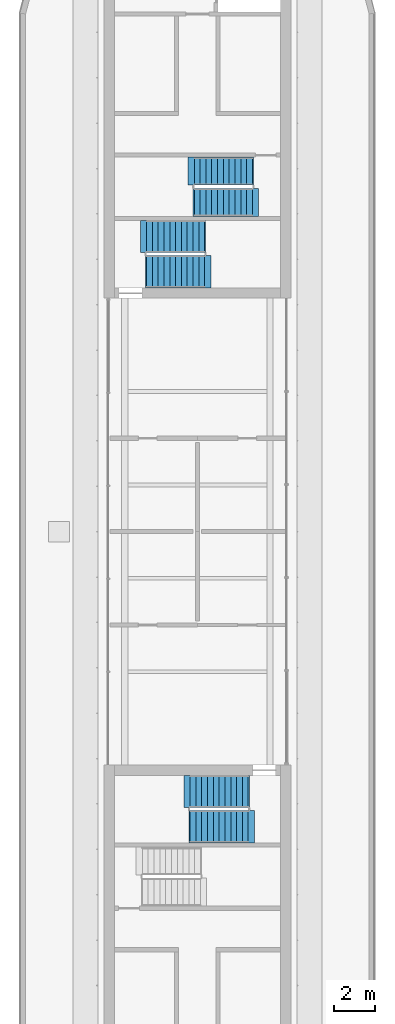
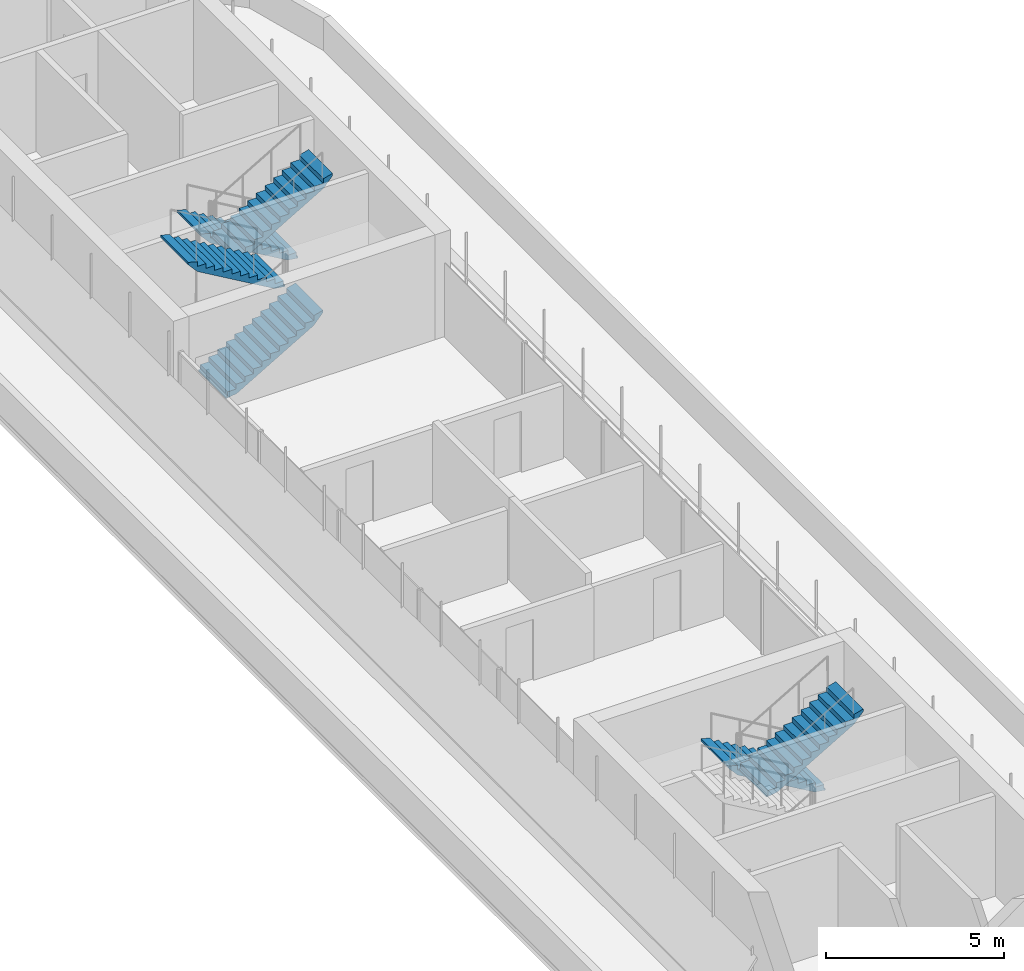
# One storey, part 4 of 6: 6 stair flights, 3 elements without a shape of their own.
"""IFC4 building model written with IfcOpenShell, lengths in metres."""

import ifcopenshell
import ifcopenshell.guid

model = None  # the IFC model being written
_history = None  # IfcOwnerHistory: only IFC2X3 demands one
_inside = {}  # id of a spatial element -> (the spatial element, [elements in it])
_under = {}  # id of a project, library or spatial element -> (it, [spatial elements below it])
_declared = {}  # id of a project -> (the project, [libraries it declares])
_typed = {}  # id of a type object -> (the type object, [elements of that type])
_made_of = {}  # id of a material, layer set ... -> (it, [elements and type objects made of it])


def new_model(schema):
    """Start an empty IFC model of exactly this schema.

    Asked for "IFC4X3", IfcOpenShell would pick the latest addendum, in which some entities
    have other attributes; the version numbers below select the first issue.
    IFC2X3 requires an IfcOwnerHistory on every rooted entity: one is made here for all.
    """
    global model, _history
    if schema == "IFC4X3":
        model = ifcopenshell.file(schema_version=(4, 3, 0, 0))
    else:
        model = ifcopenshell.file(schema=schema)
    _inside.clear()
    _under.clear()
    _declared.clear()
    _typed.clear()
    _made_of.clear()
    _history = None
    if model.schema == "IFC2X3":
        org = make("IfcOrganization", Name="unknown")
        user = make(
            "IfcPersonAndOrganization",
            ThePerson=make("IfcPerson", FamilyName="unknown"),
            TheOrganization=org,
        )
        app = make(
            "IfcApplication",
            ApplicationDeveloper=org,
            Version="unknown",
            ApplicationFullName="unknown",
            ApplicationIdentifier="unknown",
        )
        _history = make(
            "IfcOwnerHistory",
            OwningUser=user,
            OwningApplication=app,
            ChangeAction="ADDED",
            CreationDate=0,
        )
    return model


def make(cls, **values):
    """One entity of the class cls with the attributes given. An attribute that is None is left unset."""
    return model.create_entity(
        cls, **{name: value for name, value in values.items() if value is not None}
    )


def rooted(cls, **values):
    """An entity with a GlobalId (a new one), such as an element, a storey or a relation."""
    return make(cls, GlobalId=ifcopenshell.guid.new(), OwnerHistory=_history, **values)


def si_unit(unit_type, name, prefix=None):
    """IfcSIUnit, for example si_unit("LENGTHUNIT", "METRE", prefix="MILLI")."""
    return make("IfcSIUnit", UnitType=unit_type, Prefix=prefix, Name=name)


def assignment(units):
    """IfcUnitAssignment: the units of a project."""
    return None if units is None else make("IfcUnitAssignment", Units=units)


def point(xyz):
    """IfcCartesianPoint."""
    return None if xyz is None else make("IfcCartesianPoint", Coordinates=xyz)


def direction(xyz):
    """IfcDirection."""
    return None if xyz is None else make("IfcDirection", DirectionRatios=xyz)


def frame(location, z_axis=None, x_axis=None):
    """IfcAxis2Placement3D, a coordinate frame: its origin and axes. An axis left out is left unset."""
    return make(
        "IfcAxis2Placement3D",
        Location=point(location),
        Axis=direction(z_axis),
        RefDirection=direction(x_axis),
    )


def origin():
    """The frame at (0, 0, 0) with its axes left unset."""
    return frame((0.0, 0.0, 0.0))


def place(relative_to, where):
    """IfcLocalPlacement: puts the frame where relative to a parent placement (None: the world)."""
    return make(
        "IfcLocalPlacement", PlacementRelTo=relative_to, RelativePlacement=where
    )


def context(
    kind, dimensions, precision=None, world=None, true_north=None, identifier=None
):
    """IfcGeometricRepresentationContext, for example the 3D "Model" context."""
    return make(
        "IfcGeometricRepresentationContext",
        ContextIdentifier=identifier,
        ContextType=kind,
        CoordinateSpaceDimension=dimensions,
        Precision=precision,
        WorldCoordinateSystem=world,
        TrueNorth=true_north,
    )


def subcontext(parent, identifier, kind, view, scale=None):
    """IfcGeometricRepresentationSubContext, for example "Body" below "Model"."""
    return make(
        "IfcGeometricRepresentationSubContext",
        ContextIdentifier=identifier,
        ContextType=kind,
        ParentContext=parent,
        TargetScale=scale,
        TargetView=view,
    )


def project(units=None, contexts=None):
    """IfcProject with its units and contexts."""
    return rooted(
        "IfcProject",
        Name="project",
        RepresentationContexts=contexts,
        UnitsInContext=assignment(units),
    )


def spatial(cls, under=None, at=None, **own):
    """A site, building, storey or space (cls), placed at a placement, below another one or the project."""
    s = rooted(cls, ObjectPlacement=at, **own)
    if under is not None:
        _under.setdefault(under.id(), (under, []))[1].append(s)
    return s


def polyline(points):
    """IfcPolyline through the points."""
    return make("IfcPolyline", Points=[point(p) for p in points])


def outline(outer, holes=None, kind="AREA"):
    """IfcArbitraryClosedProfileDef: a profile drawn as a closed curve; with holes, ...WithVoids."""
    if holes is None:
        return make("IfcArbitraryClosedProfileDef", ProfileType=kind, OuterCurve=outer)
    return make(
        "IfcArbitraryProfileDefWithVoids",
        ProfileType=kind,
        OuterCurve=outer,
        InnerCurves=holes,
    )


def extrude(swept, where, along, depth):
    """IfcExtrudedAreaSolid: the profile swept, set in the frame where, extruded along a direction by depth."""
    return make(
        "IfcExtrudedAreaSolid",
        SweptArea=swept,
        Position=where,
        ExtrudedDirection=direction(along),
        Depth=depth,
    )


def shape(context_of_items, identifier, shape_type, items):
    """IfcShapeRepresentation: the items that make up one representation, for example the "Body"."""
    return make(
        "IfcShapeRepresentation",
        ContextOfItems=context_of_items,
        RepresentationIdentifier=identifier,
        RepresentationType=shape_type,
        Items=items,
    )


def material(Name=None, Category=None):
    """IfcMaterial."""
    return make("IfcMaterial", Name=Name, Category=Category)


def made_of(thing, what):
    """Note that an element or type object is made of a material, layer set ...; save() writes the relation."""
    if what is not None:
        _made_of.setdefault(what.id(), (what, []))[1].append(thing)
    return thing


def type_object(cls, material=None, **own):
    """A type object (cls), such as IfcWallType, which elements share."""
    return made_of(rooted(cls, **own), material)


def element(
    cls,
    number,
    at=None,
    inside=None,
    cuts=None,
    type_object=None,
    material=None,
    context=None,
    identifier="Body",
    shape_type=None,
    held_by="IfcProductDefinitionShape",
    body=None,
    shapes=None,
    **own,
):
    """One element of the class cls, such as IfcWall. Its Tag is "e" and its number.

    at: its placement. inside: the storey or other place that contains it. cuts: it is an
    opening in that element (IfcRelVoidsElement). A single representation is given by context,
    identifier, shape_type and body (its items); several are given by shapes. held_by: the class
    of the entity that holds the representations. save() writes the other relations.
    """
    e = rooted(cls, Tag="e%d" % number, ObjectPlacement=at, **own)
    if body is not None:
        shapes = [shape(context, identifier, shape_type, body)]
    if shapes is not None:
        e.Representation = make(held_by, Representations=shapes)
    if inside is not None:
        _inside.setdefault(inside.id(), (inside, []))[1].append(e)
    if cuts is not None:
        rooted(
            "IfcRelVoidsElement", RelatingBuildingElement=cuts, RelatedOpeningElement=e
        )
    if type_object is not None:
        _typed.setdefault(type_object.id(), (type_object, []))[1].append(e)
    return made_of(e, material)


def aggregate(whole, parts):
    """IfcRelAggregates: a whole, such as a stair, and the parts it consists of."""
    return rooted("IfcRelAggregates", RelatingObject=whole, RelatedObjects=parts)


def save(model, path):
    """Write the relations noted so far, then the file.

    IfcRelAggregates (storeys below a building ...), IfcRelContainedInSpatialStructure (elements
    in a storey), IfcRelDefinesByType, IfcRelAssociatesMaterial and IfcRelDeclares: one each for
    every whole, place, type object, material and project.
    """
    for whole, parts in _under.values():
        aggregate(whole, parts)
    for where, things in _inside.values():
        rooted(
            "IfcRelContainedInSpatialStructure",
            RelatedElements=things,
            RelatingStructure=where,
        )
    for kind, things in _typed.values():
        rooted("IfcRelDefinesByType", RelatedObjects=things, RelatingType=kind)
    for what, things in _made_of.values():
        rooted("IfcRelAssociatesMaterial", RelatedObjects=things, RelatingMaterial=what)
    for by, libraries in _declared.values():
        rooted("IfcRelDeclares", RelatingContext=by, RelatedDefinitions=libraries)
    model.write(path)


model = new_model("IFC4")

# Units and contexts
model_context = context("Model", 3, precision=1e-05, world=origin(), true_north=direction((0.0, 1.0)))
body_context = subcontext(model_context, "Body", "Model", "MODEL_VIEW")
ifc_project = project(units=[si_unit("LENGTHUNIT", "METRE"), si_unit("AREAUNIT", "SQUARE_METRE"), si_unit("VOLUMEUNIT", "CUBIC_METRE"), si_unit("PLANEANGLEUNIT", "RADIAN"), si_unit("MASSUNIT", "GRAM", prefix="KILO")], contexts=[model_context])

# Site, building, storey
site_placement = place(None, origin())
site = spatial("IfcSite", under=ifc_project, at=site_placement, CompositionType="ELEMENT")
building_placement = place(site_placement, origin())
building = spatial("IfcBuilding", under=site, at=building_placement, Name="Zarbagh Exchange Tower", CompositionType="ELEMENT")
storey_placement = place(building_placement, frame((0.0, 0.0, 313.199951171875)))
storey = spatial("IfcBuildingStorey", under=building, at=storey_placement, Name="L77", CompositionType="ELEMENT", Elevation=313.199951171875)

# Stair, stair flights
ifc_material = material(Name="Concrete C40/50", Category="concrete")
stair_type = type_object("IfcStairType", Name="Exit stair two-flight half-turn", PredefinedType="HALF_TURN_STAIR", material=ifc_material)
stair_1_placement = place(storey_placement, origin())
stair_1 = element("IfcStair", 1, at=stair_1_placement, inside=storey, type_object=stair_type, Name="exit stair ST1", PredefinedType="HALF_TURN_STAIR")
stair_flight_type_1 = type_object("IfcStairFlightType", Name="Stair flight 1350 mm", PredefinedType="STRAIGHT", material=ifc_material)
stair_flight_1_placement = place(storey_placement, frame((2.64990234375, 17.375, 0.0), z_axis=(0.0, 0.0, 1.0), x_axis=(-1.0, 0.0, 0.0)))
stair_flight_1 = element("IfcStairFlight", 2, at=stair_flight_1_placement, type_object=stair_flight_type_1, Name="ST1 flight 1", NumberOfRisers=11, NumberOfTreads=10, PredefinedType="STRAIGHT", RiserHeight=0.163636364, TreadLength=0.28, context=body_context, shape_type="SweptSolid", body=[
    extrude(outline(polyline([(-0.050048828125, -0.050048828125), (-0.050048828125, 0.0), (0.0, 0.0), (0.0, 0.16357421875), (0.280029296875, 0.16357421875), (0.280029296875, 0.327392578125), (0.56005859375, 0.327392578125), (0.56005859375, 0.490966796875), (0.840087890625, 0.490966796875), (0.840087890625, 0.654541015625), (1.1201171875, 0.654541015625), (1.1201171875, 0.818115234375), (1.39990234375, 0.818115234375), (1.39990234375, 0.98193359375), (1.679931640625, 0.98193359375), (1.679931640625, 1.1455078125), (1.9599609375, 1.1455078125), (1.9599609375, 1.30908203125), (2.239990234375, 1.30908203125), (2.239990234375, 1.47265625), (2.52001953125, 1.47265625), (2.52001953125, 1.636474609375), (2.800048828125, 1.636474609375), (2.800048828125, 1.800048828125), (3.10009765625, 1.8798828125), (3.10009765625, 1.800048828125), (2.800048828125, 1.462646484375), (0.297119140625, 0.0), (-0.050048828125, -0.050048828125)])), frame((0.0, 0.675048828125, 0.0), z_axis=(0.0, -1.0, 0.0), x_axis=(1.0, 0.0, 0.0)), (0.0, 0.0, 1.0), 1.35009765625),
])
stair_flight_2_placement = place(storey_placement, frame((-0.14990234375, 15.875, 1.800048828125), z_axis=(0.0, 0.0, 1.0), x_axis=(1.0, 0.0, 0.0)))
stair_flight_2 = element("IfcStairFlight", 3, at=stair_flight_2_placement, type_object=stair_flight_type_1, Name="ST1 flight 2", NumberOfRisers=11, NumberOfTreads=10, PredefinedType="STRAIGHT", RiserHeight=0.163636364, TreadLength=0.28, context=body_context, shape_type="SweptSolid", body=[
    extrude(outline(polyline([(-0.050048828125, -0.050048828125), (-0.050048828125, 0.0), (0.0, 0.0), (0.0, 0.16357421875), (0.280029296875, 0.16357421875), (0.280029296875, 0.327392578125), (0.56005859375, 0.327392578125), (0.56005859375, 0.490966796875), (0.840087890625, 0.490966796875), (0.840087890625, 0.654541015625), (1.1201171875, 0.654541015625), (1.1201171875, 0.818115234375), (1.39990234375, 0.818115234375), (1.39990234375, 0.98193359375), (1.679931640625, 0.98193359375), (1.679931640625, 1.1455078125), (1.9599609375, 1.1455078125), (1.9599609375, 1.30908203125), (2.239990234375, 1.30908203125), (2.239990234375, 1.47265625), (2.52001953125, 1.47265625), (2.52001953125, 1.636474609375), (2.800048828125, 1.636474609375), (2.800048828125, 1.800048828125), (3.10009765625, 1.8798828125), (3.10009765625, 1.800048828125), (2.800048828125, 1.462646484375), (0.297119140625, 0.0), (-0.050048828125, -0.050048828125)])), frame((0.0, 0.675048828125, 0.0), z_axis=(0.0, -1.0, 0.0), x_axis=(1.0, 0.0, 0.0)), (0.0, 0.0, 1.0), 1.35009765625),
])
aggregate(stair_1, [stair_flight_1, stair_flight_2])

stair_2_placement = place(storey_placement, origin())
stair_2 = element("IfcStair", 4, at=stair_2_placement, inside=storey, type_object=stair_type, Name="exit stair ST2", PredefinedType="HALF_TURN_STAIR")
stair_flight_type_2 = type_object("IfcStairFlightType", Name="Stair flight 1550 mm", PredefinedType="STRAIGHT", material=ifc_material)
stair_flight_3_placement = place(storey_placement, frame((-2.449951171875, 12.52490234375, 0.0), z_axis=(0.0, 0.0, 1.0), x_axis=(1.0, 0.0, 0.0)))
stair_flight_3 = element("IfcStairFlight", 5, at=stair_flight_3_placement, type_object=stair_flight_type_2, Name="ST2 flight 1", NumberOfRisers=11, NumberOfTreads=10, PredefinedType="STRAIGHT", RiserHeight=0.163636364, TreadLength=0.28, context=body_context, shape_type="SweptSolid", body=[
    extrude(outline(polyline([(-0.050048828125, -0.050048828125), (-0.050048828125, 0.0), (0.0, 0.0), (0.0, 0.16357421875), (0.280029296875, 0.16357421875), (0.280029296875, 0.327392578125), (0.56005859375, 0.327392578125), (0.56005859375, 0.490966796875), (0.840087890625, 0.490966796875), (0.840087890625, 0.654541015625), (1.1201171875, 0.654541015625), (1.1201171875, 0.818115234375), (1.39990234375, 0.818115234375), (1.39990234375, 0.98193359375), (1.679931640625, 0.98193359375), (1.679931640625, 1.1455078125), (1.9599609375, 1.1455078125), (1.9599609375, 1.30908203125), (2.239990234375, 1.30908203125), (2.239990234375, 1.47265625), (2.52001953125, 1.47265625), (2.52001953125, 1.636474609375), (2.800048828125, 1.636474609375), (2.800048828125, 1.800048828125), (3.10009765625, 1.8798828125), (3.10009765625, 1.800048828125), (2.800048828125, 1.462646484375), (0.297119140625, 0.0), (-0.050048828125, -0.050048828125)])), frame((0.0, 0.77490234375, 0.0), z_axis=(0.0, -1.0, 0.0), x_axis=(1.0, 0.0, 0.0)), (0.0, 0.0, 1.0), 1.550048828125),
])
stair_flight_4_placement = place(storey_placement, frame((0.35009765625, 14.22509765625, 1.800048828125), z_axis=(0.0, 0.0, 1.0), x_axis=(-1.0, 0.0, 0.0)))
stair_flight_4 = element("IfcStairFlight", 6, at=stair_flight_4_placement, type_object=stair_flight_type_2, Name="ST2 flight 2", NumberOfRisers=11, NumberOfTreads=10, PredefinedType="STRAIGHT", RiserHeight=0.163636364, TreadLength=0.28, context=body_context, shape_type="SweptSolid", body=[
    extrude(outline(polyline([(-0.050048828125, -0.050048828125), (-0.050048828125, 0.0), (0.0, 0.0), (0.0, 0.16357421875), (0.280029296875, 0.16357421875), (0.280029296875, 0.327392578125), (0.56005859375, 0.327392578125), (0.56005859375, 0.490966796875), (0.840087890625, 0.490966796875), (0.840087890625, 0.654541015625), (1.1201171875, 0.654541015625), (1.1201171875, 0.818115234375), (1.39990234375, 0.818115234375), (1.39990234375, 0.98193359375), (1.679931640625, 0.98193359375), (1.679931640625, 1.1455078125), (1.9599609375, 1.1455078125), (1.9599609375, 1.30908203125), (2.239990234375, 1.30908203125), (2.239990234375, 1.47265625), (2.52001953125, 1.47265625), (2.52001953125, 1.636474609375), (2.800048828125, 1.636474609375), (2.800048828125, 1.800048828125), (3.10009765625, 1.8798828125), (3.10009765625, 1.800048828125), (2.800048828125, 1.462646484375), (0.297119140625, 0.0), (-0.050048828125, -0.050048828125)])), frame((0.0, 0.77490234375, 0.0), z_axis=(0.0, -1.0, 0.0), x_axis=(1.0, 0.0, 0.0)), (0.0, 0.0, 1.0), 1.550048828125),
])
aggregate(stair_2, [stair_flight_3, stair_flight_4])

stair_3_placement = place(storey_placement, origin())
stair_3 = element("IfcStair", 7, at=stair_3_placement, inside=storey, type_object=stair_type, Name="exit stair ST4", PredefinedType="HALF_TURN_STAIR")
stair_flight_5_placement = place(storey_placement, frame((2.449951171875, -12.52490234375, 0.0), z_axis=(0.0, 0.0, 1.0), x_axis=(-1.0, 0.0, 0.0)))
stair_flight_5 = element("IfcStairFlight", 8, at=stair_flight_5_placement, type_object=stair_flight_type_2, Name="ST4 flight 1", NumberOfRisers=11, NumberOfTreads=10, PredefinedType="STRAIGHT", RiserHeight=0.163636364, TreadLength=0.28, context=body_context, shape_type="SweptSolid", body=[
    extrude(outline(polyline([(-0.050048828125, -0.050048828125), (-0.050048828125, 0.0), (0.0, 0.0), (0.0, 0.16357421875), (0.280029296875, 0.16357421875), (0.280029296875, 0.327392578125), (0.56005859375, 0.327392578125), (0.56005859375, 0.490966796875), (0.840087890625, 0.490966796875), (0.840087890625, 0.654541015625), (1.1201171875, 0.654541015625), (1.1201171875, 0.818115234375), (1.39990234375, 0.818115234375), (1.39990234375, 0.98193359375), (1.679931640625, 0.98193359375), (1.679931640625, 1.1455078125), (1.9599609375, 1.1455078125), (1.9599609375, 1.30908203125), (2.239990234375, 1.30908203125), (2.239990234375, 1.47265625), (2.52001953125, 1.47265625), (2.52001953125, 1.636474609375), (2.800048828125, 1.636474609375), (2.800048828125, 1.800048828125), (3.10009765625, 1.8798828125), (3.10009765625, 1.800048828125), (2.800048828125, 1.462646484375), (0.297119140625, 0.0), (-0.050048828125, -0.050048828125)])), frame((0.0, 0.77490234375, 0.0), z_axis=(0.0, -1.0, 0.0), x_axis=(1.0, 0.0, 0.0)), (0.0, 0.0, 1.0), 1.550048828125),
])
stair_flight_6_placement = place(storey_placement, frame((-0.35009765625, -14.22509765625, 1.800048828125), z_axis=(0.0, 0.0, 1.0), x_axis=(1.0, 0.0, 0.0)))
stair_flight_6 = element("IfcStairFlight", 9, at=stair_flight_6_placement, type_object=stair_flight_type_2, Name="ST4 flight 2", NumberOfRisers=11, NumberOfTreads=10, PredefinedType="STRAIGHT", RiserHeight=0.163636364, TreadLength=0.28, context=body_context, shape_type="SweptSolid", body=[
    extrude(outline(polyline([(-0.050048828125, -0.050048828125), (-0.050048828125, 0.0), (0.0, 0.0), (0.0, 0.16357421875), (0.280029296875, 0.16357421875), (0.280029296875, 0.327392578125), (0.56005859375, 0.327392578125), (0.56005859375, 0.490966796875), (0.840087890625, 0.490966796875), (0.840087890625, 0.654541015625), (1.1201171875, 0.654541015625), (1.1201171875, 0.818115234375), (1.39990234375, 0.818115234375), (1.39990234375, 0.98193359375), (1.679931640625, 0.98193359375), (1.679931640625, 1.1455078125), (1.9599609375, 1.1455078125), (1.9599609375, 1.30908203125), (2.239990234375, 1.30908203125), (2.239990234375, 1.47265625), (2.52001953125, 1.47265625), (2.52001953125, 1.636474609375), (2.800048828125, 1.636474609375), (2.800048828125, 1.800048828125), (3.10009765625, 1.8798828125), (3.10009765625, 1.800048828125), (2.800048828125, 1.462646484375), (0.297119140625, 0.0), (-0.050048828125, -0.050048828125)])), frame((0.0, 0.77490234375, 0.0), z_axis=(0.0, -1.0, 0.0), x_axis=(1.0, 0.0, 0.0)), (0.0, 0.0, 1.0), 1.550048828125),
])
aggregate(stair_3, [stair_flight_5, stair_flight_6])

save(model, "model.ifc")
